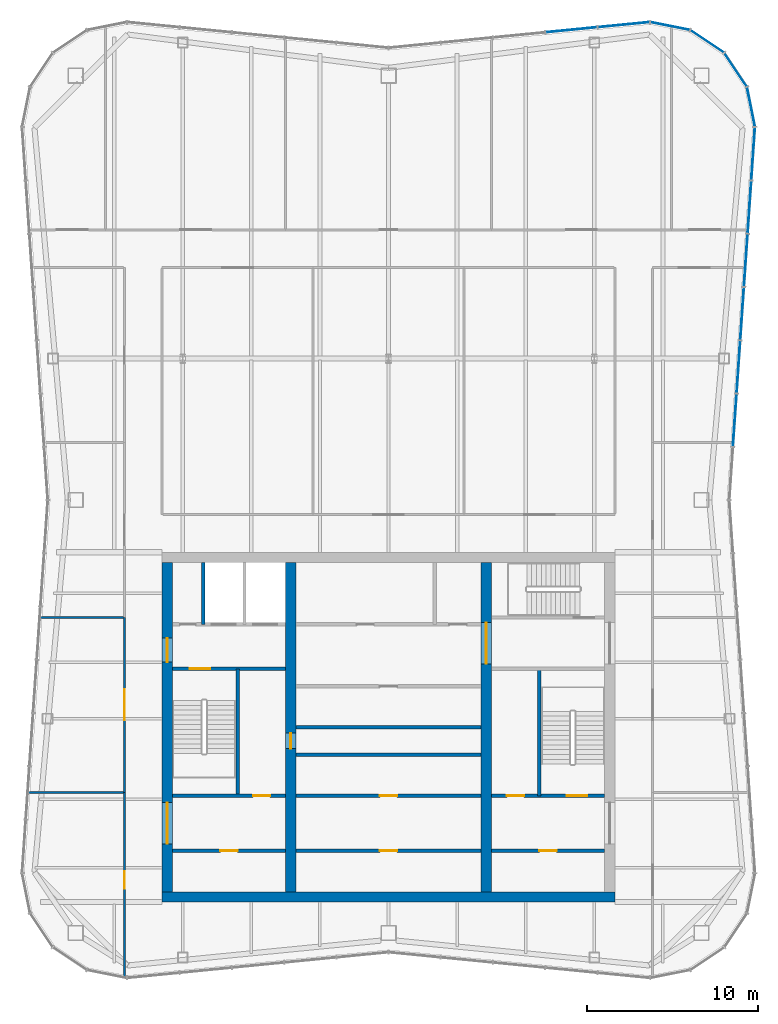
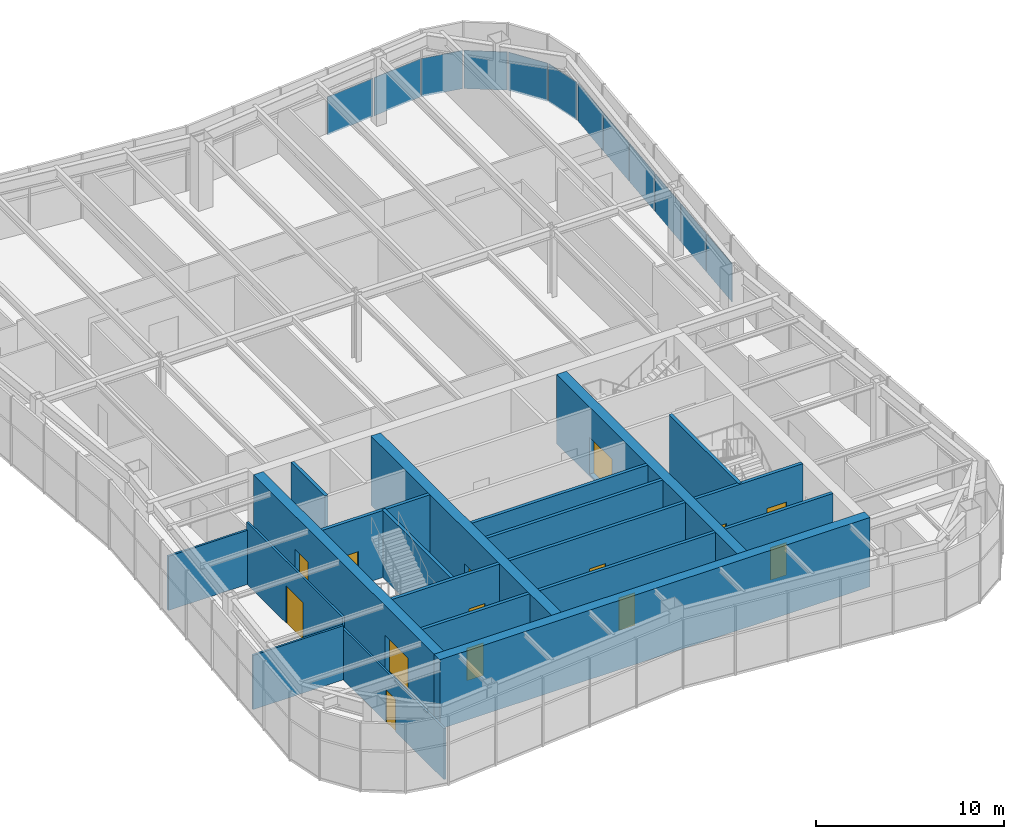
# One storey, part 9 of 13: 20 walls, 14 doors, 12 plates, 14 openings, 3 elements without a shape of their own.
"""IFC4 building model written with IfcOpenShell, lengths in metres."""

from ifc_helpers import new_model, si_unit, direction, frame, frame_2d, origin, origin_2d, place, context, subcontext, project, spatial, rectangle, extrude, material, layer, layer_set, type_object, element, fill, aggregate, save


model = new_model("IFC4")

# Units and contexts
model_context = context("Model", 3, precision=1e-05, world=origin(), true_north=direction((0.0, 1.0)))
body_context = subcontext(model_context, "Body", "Model", "MODEL_VIEW")
ifc_project = project(units=[si_unit("LENGTHUNIT", "METRE"), si_unit("AREAUNIT", "SQUARE_METRE"), si_unit("VOLUMEUNIT", "CUBIC_METRE"), si_unit("PLANEANGLEUNIT", "RADIAN"), si_unit("MASSUNIT", "GRAM", prefix="KILO")], contexts=[model_context])

# Site, building, storey
site_placement = place(None, origin())
site = spatial("IfcSite", under=ifc_project, at=site_placement, CompositionType="ELEMENT")
building_placement = place(site_placement, origin())
building = spatial("IfcBuilding", under=site, at=building_placement, Name="Verdant Reach Tower", CompositionType="ELEMENT")
storey_placement = place(building_placement, frame((0.0, 0.0, 359.5)))
storey = spatial("IfcBuildingStorey", under=building, at=storey_placement, Name="L81 Plant", CompositionType="ELEMENT", Elevation=359.5)

# Curtain wall, plates
ifc_material_1 = material(Name="Anodised aluminium", Category="aluminium")
curtain_wall_type = type_object("IfcCurtainWallType", Name="EN-CW SYSTEM PLANT", PredefinedType="NOTDEFINED", material=ifc_material_1)
curtain_wall_1_placement = place(storey_placement, origin())
curtain_wall_1 = element("IfcCurtainWall", 1, at=curtain_wall_1_placement, inside=storey, type_object=curtain_wall_type, Name="Curtain wall east, L81", PredefinedType="NOTDEFINED")
ifc_material_2 = material(Name="Bronze anodised aluminium solid panel", Category="aluminium")
ifc_layer_1 = layer(ifc_material_2, 0.0400390625)
ifc_layer_set_1 = layer_set([ifc_layer_1], Name="EN-PANEL SOLID")
plate_type = type_object("IfcPlateType", Name="EN-PANEL SOLID", PredefinedType="CURTAIN_PANEL", material=ifc_layer_set_1)
plate_1_placement = place(storey_placement, frame((20.190185546875, 45.902587890625, -0.199951171875), z_axis=(0.0, 0.0, 1.0), x_axis=(0.068802091615, 0.997630328423, 0.0)))
plate_1 = element("IfcPlate", 2, at=plate_1_placement, type_object=plate_type, Name="Solid panel east face part 2 2.1, L81", PredefinedType="CURTAIN_PANEL", context=body_context, shape_type="SweptSolid", body=[
    extrude(rectangle(XDim=3.03857421875, YDim=0.0400390625, at=origin_2d()), origin(), (0.0, 0.0, 1.0), 2.47509765625),
])
plate_2_placement = place(storey_placement, frame((20.404541015625, 49.009765625, -0.199951171875), z_axis=(0.0, 0.0, 1.0), x_axis=(0.068802091615, 0.997630328423, 0.0)))
plate_2 = element("IfcPlate", 3, at=plate_2_placement, type_object=plate_type, Name="Solid panel east face part 2 3.1, L81", PredefinedType="CURTAIN_PANEL", context=body_context, shape_type="SweptSolid", body=[
    extrude(rectangle(XDim=3.03857421875, YDim=0.0400390625, at=origin_2d()), origin(), (0.0, 0.0, 1.0), 2.47509765625),
])
plate_3_placement = place(storey_placement, frame((20.61865234375, 52.11669921875, -0.199951171875), z_axis=(0.0, 0.0, 1.0), x_axis=(0.068802091615, 0.997630328423, 0.0)))
plate_3 = element("IfcPlate", 4, at=plate_3_placement, type_object=plate_type, Name="Solid panel east face part 2 4.1, L81", PredefinedType="CURTAIN_PANEL", context=body_context, shape_type="SweptSolid", body=[
    extrude(rectangle(XDim=3.03857421875, YDim=0.0400390625, at=origin_2d()), origin(), (0.0, 0.0, 1.0), 2.47509765625),
])
plate_4_placement = place(storey_placement, frame((20.8330078125, 55.223876953125, -0.199951171875), z_axis=(0.0, 0.0, 1.0), x_axis=(0.068802091615, 0.997630328423, 0.0)))
plate_4 = element("IfcPlate", 5, at=plate_4_placement, type_object=plate_type, Name="Solid panel east face part 2 5.1, L81", PredefinedType="CURTAIN_PANEL", context=body_context, shape_type="SweptSolid", body=[
    extrude(rectangle(XDim=3.03857421875, YDim=0.0400390625, at=origin_2d()), origin(), (0.0, 0.0, 1.0), 2.47509765625),
])
plate_5_placement = place(storey_placement, frame((21.04736328125, 58.3310546875, -0.199951171875), z_axis=(0.0, 0.0, 1.0), x_axis=(0.068802091615, 0.997630328423, 0.0)))
plate_5 = element("IfcPlate", 6, at=plate_5_placement, type_object=plate_type, Name="Solid panel east face part 2 6.1, L81", PredefinedType="CURTAIN_PANEL", context=body_context, shape_type="SweptSolid", body=[
    extrude(rectangle(XDim=3.03857421875, YDim=0.0400390625, at=origin_2d()), origin(), (0.0, 0.0, 1.0), 2.47509765625),
])
plate_6_placement = place(storey_placement, frame((21.261474609375, 61.446044921875, -0.199951171875), z_axis=(0.0, 0.0, 1.0), x_axis=(0.068469163133, 0.997653233193, 0.0)))
plate_6 = element("IfcPlate", 7, at=plate_6_placement, type_object=plate_type, Name="Solid panel east face part 2 7.1, L81", PredefinedType="CURTAIN_PANEL", context=body_context, shape_type="SweptSolid", body=[
    extrude(rectangle(XDim=3.05419921875, YDim=0.0400390625, at=origin_2d()), origin(), (0.0, 0.0, 1.0), 2.47509765625),
])
aggregate(curtain_wall_1, [plate_1, plate_2, plate_3, plate_4, plate_5, plate_6])

curtain_wall_2_placement = place(storey_placement, origin())
curtain_wall_2 = element("IfcCurtainWall", 8, at=curtain_wall_2_placement, inside=storey, type_object=curtain_wall_type, Name="Curtain wall north-east corner, L81", PredefinedType="NOTDEFINED")
plate_7_placement = place(storey_placement, frame((21.135986328125, 64.174560546875, -0.199951171875), z_axis=(0.0, 0.0, 1.0), x_axis=(-0.195592962334, 0.980685165119, 0.0)))
plate_7 = element("IfcPlate", 9, at=plate_7_placement, type_object=plate_type, Name="Solid panel north-east corner 1.1, L81", PredefinedType="CURTAIN_PANEL", context=body_context, shape_type="SweptSolid", body=[
    extrude(rectangle(XDim=2.303955078125, YDim=0.0400390625, at=origin_2d()), origin(), (0.0, 0.0, 1.0), 2.47509765625),
])
plate_8_placement = place(storey_placement, frame((20.239990234375, 66.334228515625, -0.199951171875), z_axis=(0.0, 0.0, 1.0), x_axis=(-0.555596466265, 0.83145208321, 0.0)))
plate_8 = element("IfcPlate", 10, at=plate_8_placement, type_object=plate_type, Name="Solid panel north-east corner 2.1, L81", PredefinedType="CURTAIN_PANEL", context=body_context, shape_type="SweptSolid", body=[
    extrude(rectangle(XDim=2.3115234375, YDim=0.0400390625, at=origin_2d()), origin(), (0.0, 0.0, 1.0), 2.47509765625),
])
plate_9_placement = place(storey_placement, frame((18.584228515625, 67.989990234375, -0.199951171875), z_axis=(0.0, 0.0, 1.0), x_axis=(-0.83145208321, 0.555596466265, 0.0)))
plate_9 = element("IfcPlate", 11, at=plate_9_placement, type_object=plate_type, Name="Solid panel north-east corner 3.1, L81", PredefinedType="CURTAIN_PANEL", context=body_context, shape_type="SweptSolid", body=[
    extrude(rectangle(XDim=2.3115234375, YDim=0.0400390625, at=origin_2d()), origin(), (0.0, 0.0, 1.0), 2.47509765625),
])
plate_10_placement = place(storey_placement, frame((16.423828125, 68.885986328125, -0.199951171875), z_axis=(0.0, 0.0, 1.0), x_axis=(-0.980705120874, 0.195492879387, 0.0)))
plate_10 = element("IfcPlate", 12, at=plate_10_placement, type_object=plate_type, Name="Solid panel north-east corner 4.1, L81", PredefinedType="CURTAIN_PANEL", context=body_context, shape_type="SweptSolid", body=[
    extrude(rectangle(XDim=2.3056640625, YDim=0.0400390625, at=origin_2d()), origin(), (0.0, 0.0, 1.0), 2.47509765625),
])
aggregate(curtain_wall_2, [plate_7, plate_8, plate_9, plate_10])

curtain_wall_3_placement = place(storey_placement, origin())
curtain_wall_3 = element("IfcCurtainWall", 13, at=curtain_wall_3_placement, inside=storey, type_object=curtain_wall_type, Name="Curtain wall north, L81", PredefinedType="NOTDEFINED")
plate_11_placement = place(storey_placement, frame((13.72216796875, 68.96875, -0.199951171875), z_axis=(0.0, 0.0, 1.0), x_axis=(-0.995238191716, -0.097472774402, 0.0)))
plate_11 = element("IfcPlate", 14, at=plate_11_placement, type_object=plate_type, Name="Solid panel north face part 1 1.1, L81", PredefinedType="CURTAIN_PANEL", context=body_context, shape_type="SweptSolid", body=[
    extrude(rectangle(XDim=3.006103515625, YDim=0.0400390625, at=origin_2d()), origin(), (0.0, 0.0, 1.0), 2.47509765625),
])
plate_12_placement = place(storey_placement, frame((10.663330078125, 68.66845703125, -0.199951171875), z_axis=(0.0, 0.0, 1.0), x_axis=(-0.995197410875, -0.09788826992, 0.0)))
plate_12 = element("IfcPlate", 15, at=plate_12_placement, type_object=plate_type, Name="Solid panel north face part 1 2.1, L81", PredefinedType="CURTAIN_PANEL", context=body_context, shape_type="SweptSolid", body=[
    extrude(rectangle(XDim=2.98876953125, YDim=0.0400390625, at=origin_2d()), origin(), (0.0, 0.0, 1.0), 2.47509765625),
])
aggregate(curtain_wall_3, [plate_11, plate_12])

# Wall, opening, door
ifc_material_3 = material(Name="Gypsum board on steel studs", Category="steel")
ifc_layer_2 = layer(ifc_material_3, 0.199951171875)
ifc_layer_set_2 = layer_set([ifc_layer_2], Name="CO-WALL-ROOM")
wall_type_1 = type_object("IfcWallType", Name="CO-WALL-ROOM", PredefinedType="PARTITIONING", material=ifc_layer_set_2)
wall_1_placement = place(storey_placement, frame((-12.60009765625, 20.800048828125, 0.0), z_axis=(0.0, 0.0, 1.0), x_axis=(1.0, 0.0, 0.0)))
wall_1 = element("IfcWall", 16, at=wall_1_placement, inside=storey, type_object=wall_type_1, Name="Core partition, L81 Plant", PredefinedType="PARTITIONING", context=body_context, shape_type="SweptSolid", body=[
    extrude(rectangle(XDim=6.60009765625, YDim=0.199951171875, at=frame_2d((3.300048828125, 0.0))), origin(), (0.0, 0.0, 1.0), 4.35009765625),
])
opening_1_placement = place(wall_1_placement, frame((2.800048828125, 0.0, 0.0)))
opening_1 = element("IfcOpeningElement", 17, at=opening_1_placement, cuts=wall_1, Name="Opening CD", PredefinedType="OPENING", context=body_context, shape_type="SweptSolid", body=[
    extrude(rectangle(XDim=1.0, YDim=2.10009765625, at=frame_2d((0.5, 1.050048828125))), frame((0.0, 0.10986328125, 0.0), z_axis=(0.0, -1.0, 0.0), x_axis=(1.0, 0.0, 0.0)), (0.0, 0.0, 1.0), 0.219970703125),
])
ifc_material_4 = material(Name="Timber", Category="wood")
door_type_1 = type_object("IfcDoorType", Name="CO-DOOR-ROOM", OperationType="NOTDEFINED", PredefinedType="DOOR", material=ifc_material_4)
door_1_placement = place(opening_1_placement, origin())
door_1 = element("IfcDoor", 18, at=door_1_placement, inside=storey, type_object=door_type_1, Name="Core room door, L81 Plant", OperationType="SINGLE_SWING_RIGHT", OverallHeight=2.10009765625, OverallWidth=1.0, PredefinedType="DOOR", context=body_context, shape_type="SweptSolid", body=[
    extrude(rectangle(XDim=1.0, YDim=2.10009765625, at=frame_2d((0.5, 1.050048828125))), frame((0.0, 0.02490234375, 0.0), z_axis=(0.0, -1.0, 0.0), x_axis=(1.0, 0.0, 0.0)), (0.0, 0.0, 1.0), 0.050048828125),
])
fill(opening_1, door_1)

wall_2_placement = place(storey_placement, frame((-5.39990234375, 20.800048828125, 0.0), z_axis=(0.0, 0.0, 1.0), x_axis=(1.0, 0.0, 0.0)))
wall_2 = element("IfcWall", 19, at=wall_2_placement, inside=storey, type_object=wall_type_1, Name="Core partition, L81 Plant", PredefinedType="PARTITIONING", context=body_context, shape_type="SweptSolid", body=[
    extrude(rectangle(XDim=10.7998046875, YDim=0.199951171875, at=frame_2d((5.39990234375, 0.0))), origin(), (0.0, 0.0, 1.0), 4.35009765625),
])
opening_2_placement = place(wall_2_placement, frame((4.89990234375, 0.0, 0.0)))
opening_2 = element("IfcOpeningElement", 20, at=opening_2_placement, cuts=wall_2, Name="Opening CD", PredefinedType="OPENING", context=body_context, shape_type="SweptSolid", body=[
    extrude(rectangle(XDim=1.0, YDim=2.10009765625, at=frame_2d((0.5, 1.050048828125))), frame((0.0, 0.10986328125, 0.0), z_axis=(0.0, -1.0, 0.0), x_axis=(1.0, 0.0, 0.0)), (0.0, 0.0, 1.0), 0.219970703125),
])
door_2_placement = place(opening_2_placement, origin())
door_2 = element("IfcDoor", 21, at=door_2_placement, inside=storey, type_object=door_type_1, Name="Core room door, L81 Plant", OperationType="SINGLE_SWING_LEFT", OverallHeight=2.10009765625, OverallWidth=1.0, PredefinedType="DOOR", context=body_context, shape_type="SweptSolid", body=[
    extrude(rectangle(XDim=1.0, YDim=2.10009765625, at=frame_2d((0.5, 1.050048828125))), frame((0.0, 0.02490234375, 0.0), z_axis=(0.0, -1.0, 0.0), x_axis=(1.0, 0.0, 0.0)), (0.0, 0.0, 1.0), 0.050048828125),
])
fill(opening_2, door_2)

wall_3_placement = place(storey_placement, frame((6.0, 20.800048828125, 0.0), z_axis=(0.0, 0.0, 1.0), x_axis=(1.0, 0.0, 0.0)))
wall_3 = element("IfcWall", 22, at=wall_3_placement, inside=storey, type_object=wall_type_1, Name="Core partition, L81 Plant", PredefinedType="PARTITIONING", context=body_context, shape_type="SweptSolid", body=[
    extrude(rectangle(XDim=6.60009765625, YDim=0.199951171875, at=frame_2d((3.300048828125, 0.0))), origin(), (0.0, 0.0, 1.0), 4.35009765625),
])
opening_3_placement = place(wall_3_placement, frame((2.800048828125, 0.0, 0.0)))
opening_3 = element("IfcOpeningElement", 23, at=opening_3_placement, cuts=wall_3, Name="Opening CD", PredefinedType="OPENING", context=body_context, shape_type="SweptSolid", body=[
    extrude(rectangle(XDim=1.0, YDim=2.10009765625, at=frame_2d((0.5, 1.050048828125))), frame((0.0, 0.10986328125, 0.0), z_axis=(0.0, -1.0, 0.0), x_axis=(1.0, 0.0, 0.0)), (0.0, 0.0, 1.0), 0.219970703125),
])
door_3_placement = place(opening_3_placement, origin())
door_3 = element("IfcDoor", 24, at=door_3_placement, inside=storey, type_object=door_type_1, Name="Core room door, L81 Plant", OperationType="SINGLE_SWING_LEFT", OverallHeight=2.10009765625, OverallWidth=1.0, PredefinedType="DOOR", context=body_context, shape_type="SweptSolid", body=[
    extrude(rectangle(XDim=1.0, YDim=2.10009765625, at=frame_2d((0.5, 1.050048828125))), frame((0.0, 0.02490234375, 0.0), z_axis=(0.0, -1.0, 0.0), x_axis=(1.0, 0.0, 0.0)), (0.0, 0.0, 1.0), 0.050048828125),
])
fill(opening_3, door_3)

wall_4_placement = place(storey_placement, frame((-5.39990234375, 24.0, 0.0), z_axis=(0.0, 0.0, 1.0), x_axis=(1.0, 0.0, 0.0)))
wall_4 = element("IfcWall", 25, at=wall_4_placement, inside=storey, type_object=wall_type_1, Name="Core partition, L81 Plant", PredefinedType="PARTITIONING", context=body_context, shape_type="SweptSolid", body=[
    extrude(rectangle(XDim=10.7998046875, YDim=0.199951171875, at=frame_2d((5.39990234375, 0.0))), origin(), (0.0, 0.0, 1.0), 4.35009765625),
])
opening_4_placement = place(wall_4_placement, frame((4.89990234375, 0.0, 0.0)))
opening_4 = element("IfcOpeningElement", 26, at=opening_4_placement, cuts=wall_4, Name="Opening CD", PredefinedType="OPENING", context=body_context, shape_type="SweptSolid", body=[
    extrude(rectangle(XDim=1.0, YDim=2.10009765625, at=frame_2d((0.5, 1.050048828125))), frame((0.0, 0.10986328125, 0.0), z_axis=(0.0, -1.0, 0.0), x_axis=(1.0, 0.0, 0.0)), (0.0, 0.0, 1.0), 0.219970703125),
])
door_4_placement = place(opening_4_placement, origin())
door_4 = element("IfcDoor", 27, at=door_4_placement, inside=storey, type_object=door_type_1, Name="Core room door, L81 Plant", OperationType="SINGLE_SWING_RIGHT", OverallHeight=2.10009765625, OverallWidth=1.0, PredefinedType="DOOR", context=body_context, shape_type="SweptSolid", body=[
    extrude(rectangle(XDim=1.0, YDim=2.10009765625, at=frame_2d((0.5, 1.050048828125))), frame((0.0, 0.02490234375, 0.0), z_axis=(0.0, -1.0, 0.0), x_axis=(1.0, 0.0, 0.0)), (0.0, 0.0, 1.0), 0.050048828125),
])
fill(opening_4, door_4)

# Walls
for number, where, z_axis, x_axis, name in (
    (28, (-5.39990234375, 26.39990234375, 0.0), (0.0, 0.0, 1.0), (1.0, 0.0, 0.0), "Core partition, L81 Plant"),
    (29, (-5.39990234375, 28.0, 0.0), (0.0, 0.0, 1.0), (1.0, 0.0, 0.0), "Core partition, L81 Plant"),
):
    element("IfcWall", number, at=place(storey_placement, frame(where, z_axis=z_axis, x_axis=x_axis)), inside=storey, type_object=wall_type_1, Name=name, PredefinedType="PARTITIONING", context=body_context, shape_type="SweptSolid", body=[
        extrude(rectangle(XDim=10.7998046875, YDim=0.199951171875, at=frame_2d((5.39990234375, 0.0))), origin(), (0.0, 0.0, 1.0), 4.35009765625),
    ])
ifc_material_5 = material(Name="Concrete C40/50", Category="concrete")
ifc_layer_3 = layer(ifc_material_5, 0.199951171875)
ifc_layer_set_3 = layer_set([ifc_layer_3], Name="CO-WALL-SHAFT")
wall_type_2 = type_object("IfcWallType", Name="CO-WALL-SHAFT", PredefinedType="PARTITIONING", material=ifc_layer_set_3)
wall_5_placement = place(storey_placement, frame((-10.800048828125, 34.0, 0.0), z_axis=(0.0, 0.0, 1.0), x_axis=(0.0, 1.0, 0.0)))
element("IfcWall", 30, at=wall_5_placement, inside=storey, type_object=wall_type_2, Name="Lift shaft wall, L81 Plant", PredefinedType="PARTITIONING", context=body_context, shape_type="SweptSolid", body=[
    extrude(rectangle(XDim=3.60009765625, YDim=0.199951171875, at=frame_2d((1.800048828125, 0.0))), origin(), (0.0, 0.0, 1.0), 4.35009765625),
])

# Wall, opening, door
ifc_layer_4 = layer(ifc_material_5, 0.199951171875)
ifc_layer_set_4 = layer_set([ifc_layer_4], Name="CO-WALL-STAIR")
wall_type_3 = type_object("IfcWallType", Name="CO-WALL-STAIR", PredefinedType="PARTITIONING", material=ifc_layer_set_4)
wall_6_placement = place(storey_placement, frame((-12.60009765625, 24.0, 0.0), z_axis=(0.0, 0.0, 1.0), x_axis=(1.0, 0.0, 0.0)))
wall_6 = element("IfcWall", 31, at=wall_6_placement, inside=storey, type_object=wall_type_3, Name="Stair enclosure wall, L81 Plant", PredefinedType="PARTITIONING", context=body_context, shape_type="SweptSolid", body=[
    extrude(rectangle(XDim=6.60009765625, YDim=0.199951171875, at=frame_2d((3.300048828125, 0.0))), origin(), (0.0, 0.0, 1.0), 4.35009765625),
])
opening_5_placement = place(wall_6_placement, frame((4.699951171875, 0.0, 0.0)))
opening_5 = element("IfcOpeningElement", 32, at=opening_5_placement, cuts=wall_6, Name="Opening CD", PredefinedType="OPENING", context=body_context, shape_type="SweptSolid", body=[
    extrude(rectangle(XDim=1.0, YDim=2.10009765625, at=frame_2d((0.5, 1.050048828125))), frame((0.0, 0.10986328125, 0.0), z_axis=(0.0, -1.0, 0.0), x_axis=(1.0, 0.0, 0.0)), (0.0, 0.0, 1.0), 0.219970703125),
])
door_5_placement = place(opening_5_placement, origin())
door_5 = element("IfcDoor", 33, at=door_5_placement, inside=storey, type_object=door_type_1, Name="Core room door, L81 Plant", OperationType="SINGLE_SWING_LEFT", OverallHeight=2.10009765625, OverallWidth=1.0, PredefinedType="DOOR", context=body_context, shape_type="SweptSolid", body=[
    extrude(rectangle(XDim=1.0, YDim=2.10009765625, at=frame_2d((0.5, 1.050048828125))), frame((0.0, 0.02490234375, 0.0), z_axis=(0.0, -1.0, 0.0), x_axis=(1.0, 0.0, 0.0)), (0.0, 0.0, 1.0), 0.050048828125),
])
fill(opening_5, door_5)

# Wall, openings, doors
wall_7_placement = place(storey_placement, frame((6.0, 24.0, 0.0), z_axis=(0.0, 0.0, 1.0), x_axis=(1.0, 0.0, 0.0)))
wall_7 = element("IfcWall", 34, at=wall_7_placement, inside=storey, type_object=wall_type_3, Name="Stair enclosure wall, L81 Plant", PredefinedType="PARTITIONING", context=body_context, shape_type="SweptSolid", body=[
    extrude(rectangle(XDim=6.60009765625, YDim=0.199951171875, at=frame_2d((3.300048828125, 0.0))), origin(), (0.0, 0.0, 1.0), 4.35009765625),
])
opening_6_placement = place(wall_7_placement, frame((0.89990234375, 0.0, 0.0)))
opening_6 = element("IfcOpeningElement", 35, at=opening_6_placement, cuts=wall_7, Name="Opening CD", PredefinedType="OPENING", context=body_context, shape_type="SweptSolid", body=[
    extrude(rectangle(XDim=1.0, YDim=2.10009765625, at=frame_2d((0.5, 1.050048828125))), frame((0.0, 0.10986328125, 0.0), z_axis=(0.0, -1.0, 0.0), x_axis=(1.0, 0.0, 0.0)), (0.0, 0.0, 1.0), 0.219970703125),
])
opening_7_placement = place(wall_7_placement, frame((4.39990234375, 0.0, 0.0)))
opening_7 = element("IfcOpeningElement", 36, at=opening_7_placement, cuts=wall_7, Name="Opening SD", PredefinedType="OPENING", context=body_context, shape_type="SweptSolid", body=[
    extrude(rectangle(XDim=1.199951171875, YDim=2.199951171875, at=frame_2d((0.60009765625, 1.10009765625))), frame((0.0, 0.10986328125, 0.0), z_axis=(0.0, -1.0, 0.0), x_axis=(1.0, 0.0, 0.0)), (0.0, 0.0, 1.0), 0.219970703125),
])
door_6_placement = place(opening_6_placement, origin())
door_6 = element("IfcDoor", 37, at=door_6_placement, inside=storey, type_object=door_type_1, Name="Core room door, L81 Plant", OperationType="SINGLE_SWING_RIGHT", OverallHeight=2.10009765625, OverallWidth=1.0, PredefinedType="DOOR", context=body_context, shape_type="SweptSolid", body=[
    extrude(rectangle(XDim=1.0, YDim=2.10009765625, at=frame_2d((0.5, 1.050048828125))), frame((0.0, 0.02490234375, 0.0), z_axis=(0.0, -1.0, 0.0), x_axis=(1.0, 0.0, 0.0)), (0.0, 0.0, 1.0), 0.050048828125),
])
fill(opening_6, door_6)
ifc_material_6 = material(Name="Steel", Category="steel")
door_type_2 = type_object("IfcDoorType", Name="CO-DOOR-STAIR", OperationType="NOTDEFINED", PredefinedType="DOOR", material=ifc_material_6)
door_7_placement = place(opening_7_placement, origin())
door_7 = element("IfcDoor", 38, at=door_7_placement, inside=storey, type_object=door_type_2, Name="Stair door, L81 Plant", OperationType="SINGLE_SWING_RIGHT", OverallHeight=2.199951171875, OverallWidth=1.199951171875, PredefinedType="DOOR", context=body_context, shape_type="SweptSolid", body=[
    extrude(rectangle(XDim=1.199951171875, YDim=2.199951171875, at=frame_2d((0.60009765625, 1.10009765625))), frame((0.0, 0.02490234375, 0.0), z_axis=(0.0, -1.0, 0.0), x_axis=(1.0, 0.0, 0.0)), (0.0, 0.0, 1.0), 0.050048828125),
])
fill(opening_7, door_7)

# Wall, opening, door
wall_8_placement = place(storey_placement, frame((-12.60009765625, 31.39990234375, 0.0), z_axis=(0.0, 0.0, 1.0), x_axis=(1.0, 0.0, 0.0)))
wall_8 = element("IfcWall", 39, at=wall_8_placement, inside=storey, type_object=wall_type_3, Name="Stair enclosure wall, L81 Plant", PredefinedType="PARTITIONING", context=body_context, shape_type="SweptSolid", body=[
    extrude(rectangle(XDim=6.60009765625, YDim=0.199951171875, at=frame_2d((3.300048828125, 0.0))), origin(), (0.0, 0.0, 1.0), 4.35009765625),
])
opening_8_placement = place(wall_8_placement, frame((1.0, 0.0, 0.0)))
opening_8 = element("IfcOpeningElement", 40, at=opening_8_placement, cuts=wall_8, Name="Opening SD", PredefinedType="OPENING", context=body_context, shape_type="SweptSolid", body=[
    extrude(rectangle(XDim=1.199951171875, YDim=2.199951171875, at=frame_2d((0.60009765625, 1.10009765625))), frame((0.0, 0.10986328125, 0.0), z_axis=(0.0, -1.0, 0.0), x_axis=(1.0, 0.0, 0.0)), (0.0, 0.0, 1.0), 0.219970703125),
])
door_8_placement = place(opening_8_placement, origin())
door_8 = element("IfcDoor", 41, at=door_8_placement, inside=storey, type_object=door_type_2, Name="Stair door, L81 Plant", OperationType="SINGLE_SWING_LEFT", OverallHeight=2.199951171875, OverallWidth=1.199951171875, PredefinedType="DOOR", context=body_context, shape_type="SweptSolid", body=[
    extrude(rectangle(XDim=1.199951171875, YDim=2.199951171875, at=frame_2d((0.60009765625, 1.10009765625))), frame((0.0, 0.02490234375, 0.0), z_axis=(0.0, -1.0, 0.0), x_axis=(1.0, 0.0, 0.0)), (0.0, 0.0, 1.0), 0.050048828125),
])
fill(opening_8, door_8)

# Walls
for number, where, z_axis, x_axis, name in (
    (42, (-8.800048828125, 24.0, 0.0), (0.0, 0.0, 1.0), (0.0, 1.0, 0.0), "Stair enclosure wall, L81 Plant"),
    (43, (8.800048828125, 24.0, 0.0), (0.0, 0.0, 1.0), (0.0, 1.0, 0.0), "Stair enclosure wall, L81 Plant"),
):
    element("IfcWall", number, at=place(storey_placement, frame(where, z_axis=z_axis, x_axis=x_axis)), inside=storey, type_object=wall_type_3, Name=name, PredefinedType="PARTITIONING", context=body_context, shape_type="SweptSolid", body=[
        extrude(rectangle(XDim=7.39990234375, YDim=0.199951171875, at=frame_2d((3.699951171875, 0.0))), origin(), (0.0, 0.0, 1.0), 4.35009765625),
    ])
ifc_material_7 = material(Name="Concrete C70/85", Category="concrete")
ifc_layer_5 = layer(ifc_material_7, 0.60009765625)
ifc_layer_set_5 = layer_set([ifc_layer_5], Name="ST-CORE-WALL-600")
wall_type_4 = type_object("IfcWallType", Name="ST-CORE-WALL-600", PredefinedType="SHEAR", material=ifc_layer_set_5)
wall_9_placement = place(storey_placement, frame((-13.199951171875, 18.10009765625, -0.14990234375), z_axis=(0.0, 0.0, 1.0), x_axis=(1.0, 0.0, 0.0)))
element("IfcWall", 44, at=wall_9_placement, inside=storey, type_object=wall_type_4, Name="Core wall S, L81 Plant", PredefinedType="SHEAR", context=body_context, shape_type="SweptSolid", body=[
    extrude(rectangle(XDim=26.39990234375, YDim=0.60009765625, at=frame_2d((13.199951171875, 0.0))), origin(), (0.0, 0.0, 1.0), 4.5),
])

# Wall, openings, doors
wall_10_placement = place(storey_placement, frame((-12.89990234375, 18.39990234375, -0.14990234375), z_axis=(0.0, 0.0, 1.0), x_axis=(0.0, 1.0, 0.0)))
wall_10 = element("IfcWall", 45, at=wall_10_placement, inside=storey, type_object=wall_type_4, Name="Core wall W, L81 Plant", PredefinedType="SHEAR", context=body_context, shape_type="SweptSolid", body=[
    extrude(rectangle(XDim=19.2001953125, YDim=0.60009765625, at=frame_2d((9.60009765625, 0.0))), origin(), (0.0, 0.0, 1.0), 4.5),
])
opening_9_placement = place(wall_10_placement, frame((2.800048828125, 0.0, 0.14990234375)))
opening_9 = element("IfcOpeningElement", 46, at=opening_9_placement, cuts=wall_10, Name="Opening LB", PredefinedType="OPENING", context=body_context, shape_type="SweptSolid", body=[
    extrude(rectangle(XDim=2.39990234375, YDim=2.39990234375, at=frame_2d((1.199951171875, 1.199951171875))), frame((0.0, 0.31005859375, 0.0), z_axis=(0.0, -1.0, 0.0), x_axis=(1.0, 0.0, 0.0)), (0.0, 0.0, 1.0), 0.6201171875),
])
opening_10_placement = place(wall_10_placement, frame((13.39990234375, 0.0, 0.14990234375)))
opening_10 = element("IfcOpeningElement", 47, at=opening_10_placement, cuts=wall_10, Name="Opening FL", PredefinedType="OPENING", context=body_context, shape_type="SweptSolid", body=[
    extrude(rectangle(XDim=1.39990234375, YDim=2.199951171875, at=frame_2d((0.699951171875, 1.10009765625))), frame((0.0, 0.31005859375, 0.0), z_axis=(0.0, -1.0, 0.0), x_axis=(1.0, 0.0, 0.0)), (0.0, 0.0, 1.0), 0.6201171875),
])
door_type_3 = type_object("IfcDoorType", Name="CO-DOOR-FFL", OperationType="NOTDEFINED", PredefinedType="DOOR", material=ifc_material_6)
door_9_placement = place(opening_10_placement, origin())
door_9 = element("IfcDoor", 48, at=door_9_placement, inside=storey, type_object=door_type_3, Name="Core entrance door, L81 Plant", OperationType="SINGLE_SWING_LEFT", OverallHeight=2.199951171875, OverallWidth=1.39990234375, PredefinedType="DOOR", context=body_context, shape_type="SweptSolid", body=[
    extrude(rectangle(XDim=1.39990234375, YDim=2.199951171875, at=frame_2d((0.699951171875, 1.10009765625))), frame((0.0, 0.02490234375, 0.0), z_axis=(0.0, -1.0, 0.0), x_axis=(1.0, 0.0, 0.0)), (0.0, 0.0, 1.0), 0.050048828125),
])
fill(opening_10, door_9)
ifc_material_8 = material(Name="Glass and steel", Category="steel")
door_type_4 = type_object("IfcDoorType", Name="CO-DOOR-LOBBY", OperationType="DOUBLE_DOOR_SINGLE_SWING", PredefinedType="DOOR", material=ifc_material_8)
door_10_placement = place(opening_9_placement, origin())
door_10 = element("IfcDoor", 49, at=door_10_placement, inside=storey, type_object=door_type_4, Name="Core entrance door, L81 Plant", OperationType="DOUBLE_DOOR_SINGLE_SWING", OverallHeight=2.39990234375, OverallWidth=2.39990234375, PredefinedType="DOOR", context=body_context, shape_type="SweptSolid", body=[
    extrude(rectangle(XDim=2.39990234375, YDim=2.39990234375, at=frame_2d((1.199951171875, 1.199951171875))), frame((0.0, 0.02490234375, 0.0), z_axis=(0.0, -1.0, 0.0), x_axis=(1.0, 0.0, 0.0)), (0.0, 0.0, 1.0), 0.050048828125),
])
fill(opening_9, door_10)

# Wall, opening, door
wall_11_placement = place(storey_placement, frame((-5.699951171875, 18.39990234375, -0.14990234375), z_axis=(0.0, 0.0, 1.0), x_axis=(0.0, 1.0, 0.0)))
wall_11 = element("IfcWall", 50, at=wall_11_placement, inside=storey, type_object=wall_type_4, Name="Core wall XW, L81 Plant", PredefinedType="SHEAR", context=body_context, shape_type="SweptSolid", body=[
    extrude(rectangle(XDim=19.2001953125, YDim=0.60009765625, at=frame_2d((9.60009765625, 0.0))), origin(), (0.0, 0.0, 1.0), 4.5),
])
opening_11_placement = place(wall_11_placement, frame((8.35009765625, 0.0, 0.14990234375)))
opening_11 = element("IfcOpeningElement", 51, at=opening_11_placement, cuts=wall_11, Name="Opening RD", PredefinedType="OPENING", context=body_context, shape_type="SweptSolid", body=[
    extrude(rectangle(XDim=0.89990234375, YDim=2.10009765625, at=frame_2d((0.449951171875, 1.050048828125))), frame((0.0, 0.31005859375, 0.0), z_axis=(0.0, -1.0, 0.0), x_axis=(1.0, 0.0, 0.0)), (0.0, 0.0, 1.0), 0.6201171875),
])
door_type_5 = type_object("IfcDoorType", Name="CO-DOOR-RISER", OperationType="NOTDEFINED", PredefinedType="DOOR", material=ifc_material_6)
door_11_placement = place(opening_11_placement, origin())
door_11 = element("IfcDoor", 52, at=door_11_placement, inside=storey, type_object=door_type_5, Name="Riser door, L81 Plant", OperationType="SINGLE_SWING_LEFT", OverallHeight=2.10009765625, OverallWidth=0.89990234375, PredefinedType="DOOR", context=body_context, shape_type="SweptSolid", body=[
    extrude(rectangle(XDim=0.89990234375, YDim=2.10009765625, at=frame_2d((0.449951171875, 1.050048828125))), frame((0.0, 0.02490234375, 0.0), z_axis=(0.0, -1.0, 0.0), x_axis=(1.0, 0.0, 0.0)), (0.0, 0.0, 1.0), 0.050048828125),
])
fill(opening_11, door_11)

wall_12_placement = place(storey_placement, frame((5.699951171875, 18.39990234375, -0.14990234375), z_axis=(0.0, 0.0, 1.0), x_axis=(0.0, 1.0, 0.0)))
wall_12 = element("IfcWall", 53, at=wall_12_placement, inside=storey, type_object=wall_type_4, Name="Core wall XE, L81 Plant", PredefinedType="SHEAR", context=body_context, shape_type="SweptSolid", body=[
    extrude(rectangle(XDim=19.2001953125, YDim=0.60009765625, at=frame_2d((9.60009765625, 0.0))), origin(), (0.0, 0.0, 1.0), 4.5),
])
opening_12_placement = place(wall_12_placement, frame((13.300048828125, 0.0, 0.14990234375)))
opening_12 = element("IfcOpeningElement", 54, at=opening_12_placement, cuts=wall_12, Name="Opening LB", PredefinedType="OPENING", context=body_context, shape_type="SweptSolid", body=[
    extrude(rectangle(XDim=2.39990234375, YDim=2.39990234375, at=frame_2d((1.199951171875, 1.199951171875))), frame((0.0, 0.31005859375, 0.0), z_axis=(0.0, -1.0, 0.0), x_axis=(1.0, 0.0, 0.0)), (0.0, 0.0, 1.0), 0.6201171875),
])
door_12_placement = place(opening_12_placement, origin())
door_12 = element("IfcDoor", 55, at=door_12_placement, inside=storey, type_object=door_type_4, Name="Core entrance door, L81 Plant", OperationType="DOUBLE_DOOR_SINGLE_SWING", OverallHeight=2.39990234375, OverallWidth=2.39990234375, PredefinedType="DOOR", context=body_context, shape_type="SweptSolid", body=[
    extrude(rectangle(XDim=2.39990234375, YDim=2.39990234375, at=frame_2d((1.199951171875, 1.199951171875))), frame((0.0, 0.02490234375, 0.0), z_axis=(0.0, -1.0, 0.0), x_axis=(1.0, 0.0, 0.0)), (0.0, 0.0, 1.0), 0.050048828125),
])
fill(opening_12, door_12)

ifc_material_9 = material(Name="Gypsum board on steel studs, fire rated", Category="steel")
ifc_layer_6 = layer(ifc_material_9, 0.125)
ifc_layer_set_6 = layer_set([ifc_layer_6], Name="SV-W2 Plant wall 125 EI 60")
wall_type_5 = type_object("IfcWallType", Name="SV-W2 Plant wall 125 EI 60", PredefinedType="PARTITIONING", material=ifc_layer_set_6)
wall_13_placement = place(storey_placement, frame((-15.39990234375, 24.199951171875, 0.0), z_axis=(0.0, 0.0, 1.0), x_axis=(0.0, -1.0, 0.0)))
wall_13 = element("IfcWall", 56, at=wall_13_placement, inside=storey, type_object=wall_type_5, Name="Partition L81.09", PredefinedType="PARTITIONING", context=body_context, shape_type="SweptSolid", body=[
    extrude(rectangle(XDim=10.750244140625, YDim=0.125, at=frame_2d((5.375, 0.0))), origin(), (0.0, 0.0, 1.0), 3.31201171875),
])
opening_13_placement = place(wall_13_placement, frame((4.60546875, 0.0, 0.0)))
opening_13 = element("IfcOpeningElement", 57, at=opening_13_placement, cuts=wall_13, Name="Opening SD4", PredefinedType="OPENING", context=body_context, shape_type="SweptSolid", body=[
    extrude(rectangle(XDim=1.0, YDim=2.10009765625, at=frame_2d((0.5, 1.050048828125))), frame((0.0, 0.072509765625, 0.0), z_axis=(0.0, -1.0, 0.0), x_axis=(1.0, 0.0, 0.0)), (0.0, 0.0, 1.0), 0.14501953125),
])
ifc_material_10 = material(Name="Steel door leaf, fire rated", Category="steel")
door_type_6 = type_object("IfcDoorType", Name="SV-D4 Door 1000x2100 FD120", OperationType="NOTDEFINED", PredefinedType="DOOR", material=ifc_material_10)
door_13_placement = place(opening_13_placement, origin())
door_13 = element("IfcDoor", 58, at=door_13_placement, inside=storey, type_object=door_type_6, Name="Door L81-004", OperationType="SINGLE_SWING_LEFT", OverallHeight=2.10009765625, OverallWidth=1.0, PredefinedType="DOOR", context=body_context, shape_type="SweptSolid", body=[
    extrude(rectangle(XDim=1.0, YDim=2.10009765625, at=frame_2d((0.5, 1.050048828125))), frame((0.0, 0.02490234375, 0.0), z_axis=(0.0, -1.0, 0.0), x_axis=(1.0, 0.0, 0.0)), (0.0, 0.0, 1.0), 0.050048828125),
])
fill(opening_13, door_13)

wall_14_placement = place(storey_placement, frame((-15.39990234375, 34.39990234375, 0.0), z_axis=(0.0, 0.0, 1.0), x_axis=(0.0, -1.0, 0.0)))
wall_14 = element("IfcWall", 59, at=wall_14_placement, inside=storey, type_object=wall_type_5, Name="Partition L81.10", PredefinedType="PARTITIONING", context=body_context, shape_type="SweptSolid", body=[
    extrude(rectangle(XDim=10.199951171875, YDim=0.125, at=frame_2d((5.10009765625, 0.0))), origin(), (0.0, 0.0, 1.0), 4.02001953125),
])
opening_14_placement = place(wall_14_placement, frame((4.199951171875, 0.0, 0.0)))
opening_14 = element("IfcOpeningElement", 60, at=opening_14_placement, cuts=wall_14, Name="Opening SD3", PredefinedType="OPENING", context=body_context, shape_type="SweptSolid", body=[
    extrude(rectangle(XDim=1.800048828125, YDim=2.39990234375, at=frame_2d((0.89990234375, 1.199951171875))), frame((0.0, 0.072509765625, 0.0), z_axis=(0.0, -1.0, 0.0), x_axis=(1.0, 0.0, 0.0)), (0.0, 0.0, 1.0), 0.14501953125),
])
ifc_material_11 = material(Name="Steel door leaves, fire rated", Category="steel")
door_type_7 = type_object("IfcDoorType", Name="SV-D3 Equipment door 1800x2400 FD60", OperationType="DOUBLE_DOOR_SINGLE_SWING", PredefinedType="DOOR", material=ifc_material_11)
door_14_placement = place(opening_14_placement, origin())
door_14 = element("IfcDoor", 61, at=door_14_placement, inside=storey, type_object=door_type_7, Name="Door L81-005", OperationType="DOUBLE_DOOR_SINGLE_SWING", OverallHeight=2.39990234375, OverallWidth=1.800048828125, PredefinedType="DOOR", context=body_context, shape_type="SweptSolid", body=[
    extrude(rectangle(XDim=1.800048828125, YDim=2.39990234375, at=frame_2d((0.89990234375, 1.199951171875))), frame((0.0, 0.02490234375, 0.0), z_axis=(0.0, -1.0, 0.0), x_axis=(1.0, 0.0, 0.0)), (0.0, 0.0, 1.0), 0.050048828125),
])
fill(opening_14, door_14)

# Walls
wall_15_placement = place(storey_placement, frame((-21.005859375, 24.199951171875, 0.0), z_axis=(0.0, 0.0, 1.0), x_axis=(1.0, 0.0, 0.0)))
element("IfcWall", 62, at=wall_15_placement, inside=storey, type_object=wall_type_5, Name="Partition L81.26", PredefinedType="PARTITIONING", context=body_context, shape_type="SweptSolid", body=[
    extrude(rectangle(XDim=5.54345703125, YDim=0.125, at=frame_2d((2.771728515625, 0.0))), origin(), (0.0, 0.0, 1.0), 3.52001953125),
])
wall_16_placement = place(storey_placement, frame((-20.302490234375, 34.39990234375, 0.0), z_axis=(0.0, 0.0, 1.0), x_axis=(1.0, 0.0, 0.0)))
element("IfcWall", 63, at=wall_16_placement, inside=storey, type_object=wall_type_5, Name="Partition L81.27", PredefinedType="PARTITIONING", context=body_context, shape_type="SweptSolid", body=[
    extrude(rectangle(XDim=4.840087890625, YDim=0.125, at=frame_2d((2.419921875, 0.0))), origin(), (0.0, 0.0, 1.0), 3.52001953125),
])

save(model, "model.ifc")
